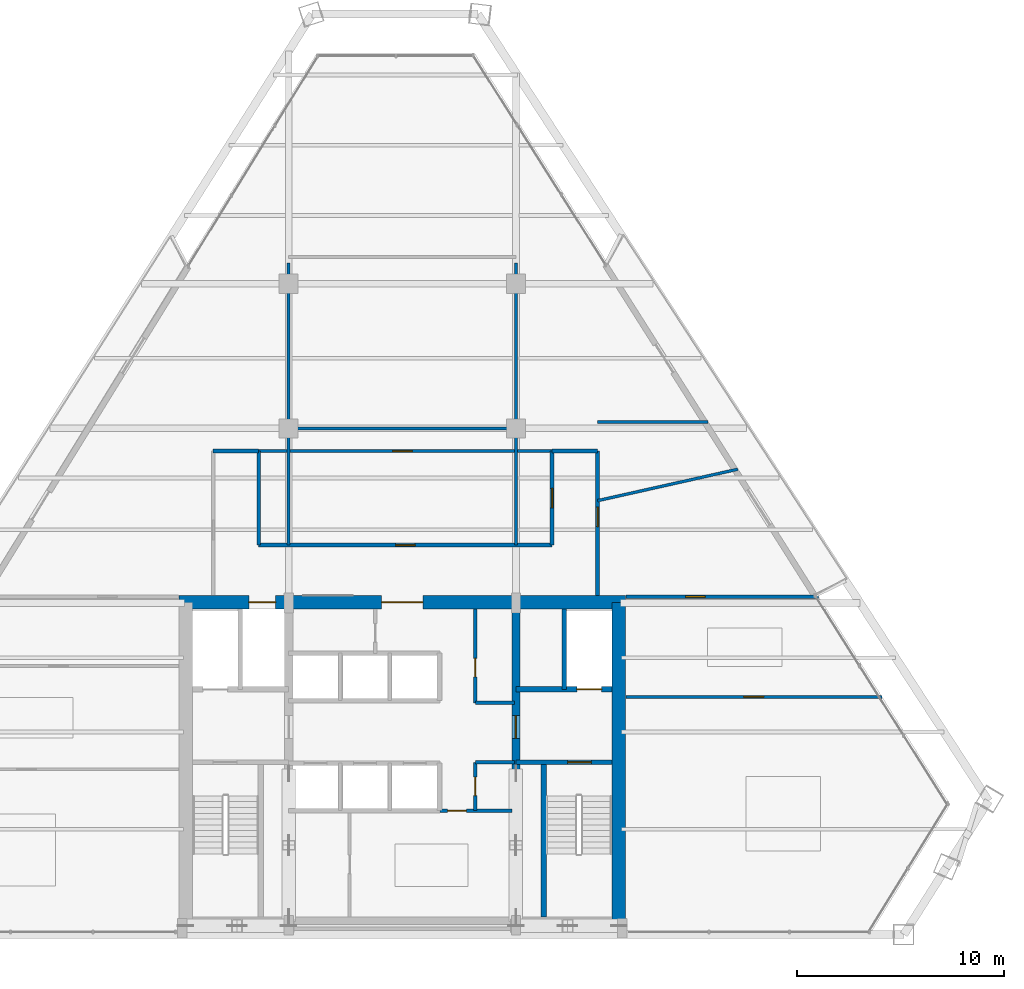
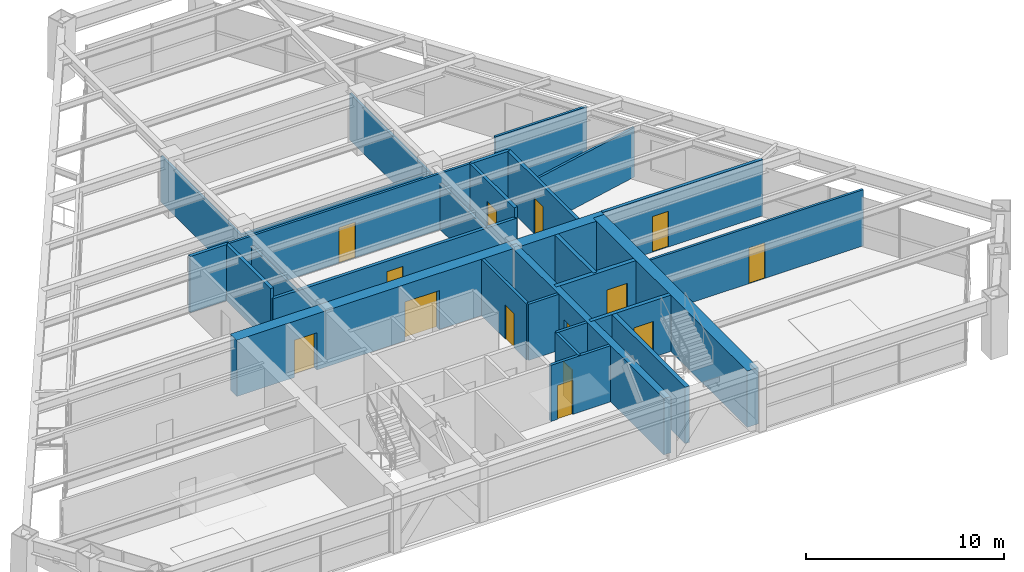
# One storey, part 12 of 15: 26 walls, 14 doors, 14 openings.
"""IFC4 building model written with IfcOpenShell, lengths in metres."""

import ifcopenshell
import ifcopenshell.guid

model = None  # the IFC model being written
_history = None  # IfcOwnerHistory: only IFC2X3 demands one
_inside = {}  # id of a spatial element -> (the spatial element, [elements in it])
_under = {}  # id of a project, library or spatial element -> (it, [spatial elements below it])
_declared = {}  # id of a project -> (the project, [libraries it declares])
_typed = {}  # id of a type object -> (the type object, [elements of that type])
_made_of = {}  # id of a material, layer set ... -> (it, [elements and type objects made of it])


def new_model(schema):
    """Start an empty IFC model of exactly this schema.

    Asked for "IFC4X3", IfcOpenShell would pick the latest addendum, in which some entities
    have other attributes; the version numbers below select the first issue.
    IFC2X3 requires an IfcOwnerHistory on every rooted entity: one is made here for all.
    """
    global model, _history
    if schema == "IFC4X3":
        model = ifcopenshell.file(schema_version=(4, 3, 0, 0))
    else:
        model = ifcopenshell.file(schema=schema)
    _inside.clear()
    _under.clear()
    _declared.clear()
    _typed.clear()
    _made_of.clear()
    _history = None
    if model.schema == "IFC2X3":
        org = make("IfcOrganization", Name="unknown")
        user = make(
            "IfcPersonAndOrganization",
            ThePerson=make("IfcPerson", FamilyName="unknown"),
            TheOrganization=org,
        )
        app = make(
            "IfcApplication",
            ApplicationDeveloper=org,
            Version="unknown",
            ApplicationFullName="unknown",
            ApplicationIdentifier="unknown",
        )
        _history = make(
            "IfcOwnerHistory",
            OwningUser=user,
            OwningApplication=app,
            ChangeAction="ADDED",
            CreationDate=0,
        )
    return model


def make(cls, **values):
    """One entity of the class cls with the attributes given. An attribute that is None is left unset."""
    return model.create_entity(
        cls, **{name: value for name, value in values.items() if value is not None}
    )


def rooted(cls, **values):
    """An entity with a GlobalId (a new one), such as an element, a storey or a relation."""
    return make(cls, GlobalId=ifcopenshell.guid.new(), OwnerHistory=_history, **values)


def si_unit(unit_type, name, prefix=None):
    """IfcSIUnit, for example si_unit("LENGTHUNIT", "METRE", prefix="MILLI")."""
    return make("IfcSIUnit", UnitType=unit_type, Prefix=prefix, Name=name)


def assignment(units):
    """IfcUnitAssignment: the units of a project."""
    return None if units is None else make("IfcUnitAssignment", Units=units)


def point(xyz):
    """IfcCartesianPoint."""
    return None if xyz is None else make("IfcCartesianPoint", Coordinates=xyz)


def direction(xyz):
    """IfcDirection."""
    return None if xyz is None else make("IfcDirection", DirectionRatios=xyz)


def frame(location, z_axis=None, x_axis=None):
    """IfcAxis2Placement3D, a coordinate frame: its origin and axes. An axis left out is left unset."""
    return make(
        "IfcAxis2Placement3D",
        Location=point(location),
        Axis=direction(z_axis),
        RefDirection=direction(x_axis),
    )


def frame_2d(location, x_axis=None):
    """IfcAxis2Placement2D, a coordinate frame in the plane: its origin and x axis."""
    return make(
        "IfcAxis2Placement2D", Location=point(location), RefDirection=direction(x_axis)
    )


def origin():
    """The frame at (0, 0, 0) with its axes left unset."""
    return frame((0.0, 0.0, 0.0))


def place(relative_to, where):
    """IfcLocalPlacement: puts the frame where relative to a parent placement (None: the world)."""
    return make(
        "IfcLocalPlacement", PlacementRelTo=relative_to, RelativePlacement=where
    )


def context(
    kind, dimensions, precision=None, world=None, true_north=None, identifier=None
):
    """IfcGeometricRepresentationContext, for example the 3D "Model" context."""
    return make(
        "IfcGeometricRepresentationContext",
        ContextIdentifier=identifier,
        ContextType=kind,
        CoordinateSpaceDimension=dimensions,
        Precision=precision,
        WorldCoordinateSystem=world,
        TrueNorth=true_north,
    )


def subcontext(parent, identifier, kind, view, scale=None):
    """IfcGeometricRepresentationSubContext, for example "Body" below "Model"."""
    return make(
        "IfcGeometricRepresentationSubContext",
        ContextIdentifier=identifier,
        ContextType=kind,
        ParentContext=parent,
        TargetScale=scale,
        TargetView=view,
    )


def project(units=None, contexts=None):
    """IfcProject with its units and contexts."""
    return rooted(
        "IfcProject",
        Name="project",
        RepresentationContexts=contexts,
        UnitsInContext=assignment(units),
    )


def spatial(cls, under=None, at=None, **own):
    """A site, building, storey or space (cls), placed at a placement, below another one or the project."""
    s = rooted(cls, ObjectPlacement=at, **own)
    if under is not None:
        _under.setdefault(under.id(), (under, []))[1].append(s)
    return s


def profile(cls, at=None, kind="AREA", **sizes):
    """A parametric profile (cls). Its sizes go by their IFC names, for example OverallWidth=200.0."""
    return make(cls, ProfileType=kind, Position=at, **sizes)


def rectangle(**sizes):
    """IfcRectangleProfileDef."""
    return profile("IfcRectangleProfileDef", **sizes)


def extrude(swept, where, along, depth):
    """IfcExtrudedAreaSolid: the profile swept, set in the frame where, extruded along a direction by depth."""
    return make(
        "IfcExtrudedAreaSolid",
        SweptArea=swept,
        Position=where,
        ExtrudedDirection=direction(along),
        Depth=depth,
    )


def shape(context_of_items, identifier, shape_type, items):
    """IfcShapeRepresentation: the items that make up one representation, for example the "Body"."""
    return make(
        "IfcShapeRepresentation",
        ContextOfItems=context_of_items,
        RepresentationIdentifier=identifier,
        RepresentationType=shape_type,
        Items=items,
    )


def source(mapping_origin, context_of_items, identifier, shape_type, items):
    """IfcRepresentationMap: a shape defined once, which mapped items show again and again."""
    return make(
        "IfcRepresentationMap",
        MappingOrigin=mapping_origin,
        MappedRepresentation=shape(context_of_items, identifier, shape_type, items),
    )


def transform(
    local_origin,
    x_axis=None,
    y_axis=None,
    z_axis=None,
    scale=None,
    scale2=None,
    scale3=None,
    uniform=True,
):
    """IfcCartesianTransformationOperator3D, or its non-uniform kind. x_axis, y_axis, z_axis: its Axis1, 2, 3."""
    if uniform:
        return make(
            "IfcCartesianTransformationOperator3D",
            Axis1=direction(x_axis),
            Axis2=direction(y_axis),
            LocalOrigin=point(local_origin),
            Scale=scale,
            Axis3=direction(z_axis),
        )
    return make(
        "IfcCartesianTransformationOperator3DnonUniform",
        Axis1=direction(x_axis),
        Axis2=direction(y_axis),
        LocalOrigin=point(local_origin),
        Scale=scale,
        Axis3=direction(z_axis),
        Scale2=scale2,
        Scale3=scale3,
    )


def mapped(mapping_source, mapping_target):
    """IfcMappedItem: shows the shape of a source again, moved by a transform."""
    return make(
        "IfcMappedItem", MappingSource=mapping_source, MappingTarget=mapping_target
    )


def material(Name=None, Category=None):
    """IfcMaterial."""
    return make("IfcMaterial", Name=Name, Category=Category)


def layer(
    of_material, thickness, ventilated=None, Name=None, Category=None, Priority=None
):
    """IfcMaterialLayer: one layer of a wall or slab, of a material (None: an air gap)."""
    return make(
        "IfcMaterialLayer",
        Material=of_material,
        LayerThickness=thickness,
        IsVentilated=ventilated,
        Name=Name,
        Category=Category,
        Priority=Priority,
    )


def layer_set(layers, Name=None):
    """IfcMaterialLayerSet."""
    return make("IfcMaterialLayerSet", MaterialLayers=layers, LayerSetName=Name)


def made_of(thing, what):
    """Note that an element or type object is made of a material, layer set ...; save() writes the relation."""
    if what is not None:
        _made_of.setdefault(what.id(), (what, []))[1].append(thing)
    return thing


def type_object(cls, material=None, **own):
    """A type object (cls), such as IfcWallType, which elements share."""
    return made_of(rooted(cls, **own), material)


def type_shapes(of_type, sources):
    """Give a type object the sources (RepresentationMaps) that its elements show as mapped items."""
    of_type.RepresentationMaps = sources


def element(
    cls,
    number,
    at=None,
    inside=None,
    cuts=None,
    type_object=None,
    material=None,
    context=None,
    identifier="Body",
    shape_type=None,
    held_by="IfcProductDefinitionShape",
    body=None,
    shapes=None,
    **own,
):
    """One element of the class cls, such as IfcWall. Its Tag is "e" and its number.

    at: its placement. inside: the storey or other place that contains it. cuts: it is an
    opening in that element (IfcRelVoidsElement). A single representation is given by context,
    identifier, shape_type and body (its items); several are given by shapes. held_by: the class
    of the entity that holds the representations. save() writes the other relations.
    """
    e = rooted(cls, Tag="e%d" % number, ObjectPlacement=at, **own)
    if body is not None:
        shapes = [shape(context, identifier, shape_type, body)]
    if shapes is not None:
        e.Representation = make(held_by, Representations=shapes)
    if inside is not None:
        _inside.setdefault(inside.id(), (inside, []))[1].append(e)
    if cuts is not None:
        rooted(
            "IfcRelVoidsElement", RelatingBuildingElement=cuts, RelatedOpeningElement=e
        )
    if type_object is not None:
        _typed.setdefault(type_object.id(), (type_object, []))[1].append(e)
    return made_of(e, material)


def fill(opening, filler):
    """IfcRelFillsElement: the door or window that sits in an opening."""
    return rooted(
        "IfcRelFillsElement",
        RelatingOpeningElement=opening,
        RelatedBuildingElement=filler,
    )


def aggregate(whole, parts):
    """IfcRelAggregates: a whole, such as a stair, and the parts it consists of."""
    return rooted("IfcRelAggregates", RelatingObject=whole, RelatedObjects=parts)


def save(model, path):
    """Write the relations noted so far, then the file.

    IfcRelAggregates (storeys below a building ...), IfcRelContainedInSpatialStructure (elements
    in a storey), IfcRelDefinesByType, IfcRelAssociatesMaterial and IfcRelDeclares: one each for
    every whole, place, type object, material and project.
    """
    for whole, parts in _under.values():
        aggregate(whole, parts)
    for where, things in _inside.values():
        rooted(
            "IfcRelContainedInSpatialStructure",
            RelatedElements=things,
            RelatingStructure=where,
        )
    for kind, things in _typed.values():
        rooted("IfcRelDefinesByType", RelatedObjects=things, RelatingType=kind)
    for what, things in _made_of.values():
        rooted("IfcRelAssociatesMaterial", RelatedObjects=things, RelatingMaterial=what)
    for by, libraries in _declared.values():
        rooted("IfcRelDeclares", RelatingContext=by, RelatedDefinitions=libraries)
    model.write(path)


model = new_model("IFC4")

# Units and contexts
model_context = context("Model", 3, precision=1e-05, world=origin(), true_north=direction((0.0, 1.0)))
body_context = subcontext(model_context, "Body", "Model", "MODEL_VIEW")
ifc_project = project(units=[si_unit("LENGTHUNIT", "METRE"), si_unit("AREAUNIT", "SQUARE_METRE"), si_unit("VOLUMEUNIT", "CUBIC_METRE"), si_unit("PLANEANGLEUNIT", "RADIAN"), si_unit("MASSUNIT", "GRAM", prefix="KILO")], contexts=[model_context])

# Site, building, storey
site_placement = place(None, origin())
site = spatial("IfcSite", under=ifc_project, at=site_placement, CompositionType="ELEMENT")
building_placement = place(site_placement, origin())
building = spatial("IfcBuilding", under=site, at=building_placement, Name="Varnakhor Terracotta Tower", CompositionType="ELEMENT")
storey_placement = place(building_placement, frame((0.0, 0.0, 189.5)))
storey = spatial("IfcBuildingStorey", under=building, at=storey_placement, Name="L48", CompositionType="ELEMENT", Elevation=189.5)

# Wall, openings, doors
ifc_material_1 = material(Name="Concrete C50/60", Category="concrete")
ifc_layer_1 = layer(ifc_material_1, 0.64990234375, Name="Concrete C50/60")
ifc_layer_set_1 = layer_set([ifc_layer_1], Name="Concrete C50/60")
wall_type_1 = type_object("IfcWallType", Name="WAL-CORE-650", PredefinedType="SHEAR", material=ifc_layer_set_1)
wall_1_placement = place(storey_placement, frame((-10.800048828125, 16.074951171875, 0.0), z_axis=(0.0, 0.0, 1.0), x_axis=(1.0, 0.0, 0.0)))
wall_1 = element("IfcWall", 1, at=wall_1_placement, inside=storey, type_object=wall_type_1, Name="L48 North Core Shear Wall", PredefinedType="SHEAR", context=body_context, shape_type="SweptSolid", body=[
    extrude(rectangle(XDim=21.60009765625, YDim=0.64990234375, at=frame_2d((10.800048828125, 0.0))), origin(), (0.0, 0.0, 1.0), 3.469970703125),
])
opening_1_placement = place(wall_1_placement, frame((3.3701171875, 0.0, 0.0)))
opening_1 = element("IfcOpeningElement", 2, at=opening_1_placement, cuts=wall_1, Name="Opening LD-03", PredefinedType="OPENING", context=body_context, shape_type="SweptSolid", body=[
    extrude(rectangle(XDim=1.300048828125, YDim=2.300048828125, at=frame_2d((0.64990234375, 1.14990234375))), frame((0.0, 0.3349609375, 0.0), z_axis=(0.0, -1.0, 0.0), x_axis=(1.0, 0.0, 0.0)), (0.0, 0.0, 1.0), 0.669921875),
])
opening_2_placement = place(wall_1_placement, frame((9.800048828125, 0.0, 0.0)))
opening_2 = element("IfcOpeningElement", 3, at=opening_2_placement, cuts=wall_1, Name="Opening DR-32", PredefinedType="OPENING", context=body_context, shape_type="SweptSolid", body=[
    extrude(rectangle(XDim=2.0, YDim=2.39990234375, at=frame_2d((1.0, 1.199951171875))), frame((0.0, 0.3349609375, 0.0), z_axis=(0.0, -1.0, 0.0), x_axis=(1.0, 0.0, 0.0)), (0.0, 0.0, 1.0), 0.669921875),
])
ifc_material_2 = material(Name="Heavy-Duty Goods Sliding Lift Landing Door", Category="steel")
door_type_1 = type_object("IfcDoorType", Name="LD-SRV-1300X2300", OperationType="NOTDEFINED", PredefinedType="DOOR", material=ifc_material_2)
shared_shape_1 = source(origin(), body_context, "Body", "SweptSolid", [
    extrude(rectangle(XDim=1.300048828125, YDim=2.300048828125, at=frame_2d((0.64990234375, 1.14990234375))), frame((0.0, 0.02490234375, 0.0), z_axis=(0.0, -1.0, 0.0), x_axis=(1.0, 0.0, 0.0)), (0.0, 0.0, 1.0), 0.050048828125),
])
type_shapes(door_type_1, [shared_shape_1])
door_1_placement = place(opening_1_placement, origin())
door_1 = element("IfcDoor", 4, at=door_1_placement, inside=storey, type_object=door_type_1, Name="L48 Service Lift SVL-1 Landing Door", OperationType="SLIDING_TO_RIGHT", OverallHeight=2.300048828125, OverallWidth=1.300048828125, PredefinedType="DOOR", context=body_context, shape_type="MappedRepresentation", body=[
    mapped(shared_shape_1, transform((0.0, 0.0, 0.0), scale=1.0)),
])
fill(opening_1, door_1)
ifc_material_3 = material(Name="Acoustic Double Assembly Fire Door", Category="wood")
door_type_2 = type_object("IfcDoorType", Name="DR-HALL-2000X2400", OperationType="NOTDEFINED", PredefinedType="DOOR", material=ifc_material_3)
shared_shape_2 = source(origin(), body_context, "Body", "SweptSolid", [
    extrude(rectangle(XDim=2.0, YDim=2.39990234375, at=frame_2d((1.0, 1.199951171875))), frame((0.0, 0.02490234375, 0.0), z_axis=(0.0, -1.0, 0.0), x_axis=(1.0, 0.0, 0.0)), (0.0, 0.0, 1.0), 0.050048828125),
])
type_shapes(door_type_2, [shared_shape_2])
door_2_placement = place(opening_2_placement, origin())
door_2 = element("IfcDoor", 5, at=door_2_placement, inside=storey, type_object=door_type_2, Name="L48 Core Main Lobby Double Door", OperationType="DOUBLE_DOOR_SINGLE_SWING", OverallHeight=2.39990234375, OverallWidth=2.0, PredefinedType="DOOR", context=body_context, shape_type="MappedRepresentation", body=[
    mapped(shared_shape_2, transform((0.0, 0.0, 0.0), scale=1.0)),
])
fill(opening_2, door_2)

# Wall
wall_2_placement = place(storey_placement, frame((10.47509765625, 0.52490234375, 0.0), z_axis=(0.0, 0.0, 1.0), x_axis=(0.0, 1.0, 0.0)))
element("IfcWall", 6, at=wall_2_placement, inside=storey, type_object=wall_type_1, Name="L48 East Core Shear Wall", PredefinedType="SHEAR", context=body_context, shape_type="SweptSolid", body=[
    extrude(rectangle(XDim=15.550048828125, YDim=0.64990234375, at=frame_2d((7.77490234375, 0.0))), origin(), (0.0, 0.0, 1.0), 3.469970703125),
])

# Wall, opening, door
ifc_layer_2 = layer(ifc_material_1, 0.39990234375, Name="Concrete C50/60")
ifc_layer_set_2 = layer_set([ifc_layer_2], Name="Concrete C50/60")
wall_type_2 = type_object("IfcWallType", Name="WAL-CORE-WEB-400", PredefinedType="SHEAR", material=ifc_layer_set_2)
wall_3_placement = place(storey_placement, frame((5.5, 0.52490234375, 0.0), z_axis=(0.0, 0.0, 1.0), x_axis=(0.0, 1.0, 0.0)))
wall_3 = element("IfcWall", 7, at=wall_3_placement, inside=storey, type_object=wall_type_2, Name="L48 East Core Web Shear Wall", PredefinedType="SHEAR", context=body_context, shape_type="SweptSolid", body=[
    extrude(rectangle(XDim=15.550048828125, YDim=0.39990234375, at=frame_2d((7.77490234375, 0.0))), origin(), (0.0, 0.0, 1.0), 3.469970703125),
])
opening_3_placement = place(wall_3_placement, frame((8.97509765625, 0.0, 0.0)))
opening_3 = element("IfcOpeningElement", 8, at=opening_3_placement, cuts=wall_3, Name="Opening DR-25", PredefinedType="OPENING", context=body_context, shape_type="SweptSolid", body=[
    extrude(rectangle(XDim=1.10009765625, YDim=2.199951171875, at=frame_2d((0.550048828125, 1.10009765625))), frame((0.0, 0.2099609375, 0.0), z_axis=(0.0, -1.0, 0.0), x_axis=(1.0, 0.0, 0.0)), (0.0, 0.0, 1.0), 0.419921875),
])
ifc_material_4 = material(Name="Firefighting Lobby Self-Closing Fire Door", Category="steel")
door_type_3 = type_object("IfcDoorType", Name="DR-FFL-1100X2200", OperationType="NOTDEFINED", PredefinedType="DOOR", material=ifc_material_4)
shared_shape_3 = source(origin(), body_context, "Body", "SweptSolid", [
    extrude(rectangle(XDim=1.10009765625, YDim=2.199951171875, at=frame_2d((0.550048828125, 1.10009765625))), frame((0.0, 0.02490234375, 0.0), z_axis=(0.0, -1.0, 0.0), x_axis=(1.0, 0.0, 0.0)), (0.0, 0.0, 1.0), 0.050048828125),
])
type_shapes(door_type_3, [shared_shape_3])
door_3_placement = place(opening_3_placement, origin())
door_3 = element("IfcDoor", 9, at=door_3_placement, inside=storey, type_object=door_type_3, Name="L48 East Firefighting Lobby Door", OperationType="SINGLE_SWING_RIGHT", OverallHeight=2.199951171875, OverallWidth=1.10009765625, PredefinedType="DOOR", context=body_context, shape_type="MappedRepresentation", body=[
    mapped(shared_shape_3, transform((0.0, 0.0, 0.0), scale=1.0)),
])
fill(opening_3, door_3)

ifc_material_5 = material(Name="Fire-Rated Gypsum Stud Partition", Category="gypsum")
ifc_layer_3 = layer(ifc_material_5, 0.18505859375, Name="Fire-Rated Gypsum Stud Partition")
ifc_layer_set_3 = layer_set([ifc_layer_3], Name="Fire-Rated Gypsum Stud Partition")
wall_type_3 = type_object("IfcWallType", Name="WAL-CORR-185", PredefinedType="PARTITIONING", material=ifc_layer_set_3)
wall_4_placement = place(storey_placement, frame((-6.949951171875, 18.85009765625, 0.0), z_axis=(0.0, 0.0, 1.0), x_axis=(1.0, 0.0, 0.0)))
wall_4 = element("IfcWall", 10, at=wall_4_placement, inside=storey, type_object=wall_type_3, Name="L48 Central Gallery Link Wall", PredefinedType="PARTITIONING", context=body_context, shape_type="SweptSolid", body=[
    extrude(rectangle(XDim=14.199951171875, YDim=0.18505859375, at=frame_2d((7.10009765625, 0.0))), origin(), (0.0, 0.0, 1.0), 2.845947265625),
])
opening_4_placement = place(wall_4_placement, frame((6.625, 0.0, 0.0)))
opening_4 = element("IfcOpeningElement", 11, at=opening_4_placement, cuts=wall_4, Name="Opening DR-94", PredefinedType="OPENING", context=body_context, shape_type="SweptSolid", body=[
    extrude(rectangle(XDim=0.949951171875, YDim=2.199951171875, at=frame_2d((0.47509765625, 1.10009765625))), frame((0.0, 0.1025390625, 0.0), z_axis=(0.0, -1.0, 0.0), x_axis=(1.0, 0.0, 0.0)), (0.0, 0.0, 1.0), 0.205078125),
])
ifc_material_6 = material(Name="Acoustic Glazed-Vision Timber Office Door", Category="wood")
door_type_4 = type_object("IfcDoorType", Name="DR-OFF-950X2200", OperationType="NOTDEFINED", PredefinedType="DOOR", material=ifc_material_6)
shared_shape_4 = source(origin(), body_context, "Body", "SweptSolid", [
    extrude(rectangle(XDim=0.949951171875, YDim=2.199951171875, at=frame_2d((0.47509765625, 1.10009765625))), frame((0.0, 0.02490234375, 0.0), z_axis=(0.0, -1.0, 0.0), x_axis=(1.0, 0.0, 0.0)), (0.0, 0.0, 1.0), 0.050048828125),
])
type_shapes(door_type_4, [shared_shape_4])
door_4_placement = place(opening_4_placement, origin())
door_4 = element("IfcDoor", 12, at=door_4_placement, inside=storey, type_object=door_type_4, Name="L48 Center Suite Door", OperationType="SINGLE_SWING_RIGHT", OverallHeight=2.199951171875, OverallWidth=0.949951171875, PredefinedType="DOOR", context=body_context, shape_type="MappedRepresentation", body=[
    mapped(shared_shape_4, transform((0.0, 0.0, 0.0), scale=1.0)),
])
fill(opening_4, door_4)

# Wall
wall_5_placement = place(storey_placement, frame((-6.949951171875, 18.85009765625, 0.0), z_axis=(0.0, 0.0, 1.0), x_axis=(0.0, 1.0, 0.0)))
element("IfcWall", 13, at=wall_5_placement, inside=storey, type_object=wall_type_3, Name="L48 West Gallery Inner Wall", PredefinedType="PARTITIONING", context=body_context, shape_type="SweptSolid", body=[
    extrude(rectangle(XDim=4.5498046875, YDim=0.18505859375, at=frame_2d((2.27490234375, 0.0))), origin(), (0.0, 0.0, 1.0), 3.4619140625),
])

# Wall, opening, door
wall_6_placement = place(storey_placement, frame((7.25, 18.85009765625, 0.0), z_axis=(0.0, 0.0, 1.0), x_axis=(0.0, 1.0, 0.0)))
wall_6 = element("IfcWall", 14, at=wall_6_placement, inside=storey, type_object=wall_type_3, Name="L48 East Gallery Inner Wall", PredefinedType="PARTITIONING", context=body_context, shape_type="SweptSolid", body=[
    extrude(rectangle(XDim=4.5498046875, YDim=0.18505859375, at=frame_2d((2.27490234375, 0.0))), origin(), (0.0, 0.0, 1.0), 3.4619140625),
])
opening_5_placement = place(wall_6_placement, frame((1.800048828125, 0.0, 0.0)))
opening_5 = element("IfcOpeningElement", 15, at=opening_5_placement, cuts=wall_6, Name="Opening DR-94", PredefinedType="OPENING", context=body_context, shape_type="SweptSolid", body=[
    extrude(rectangle(XDim=0.949951171875, YDim=2.199951171875, at=frame_2d((0.47509765625, 1.10009765625))), frame((0.0, 0.1025390625, 0.0), z_axis=(0.0, -1.0, 0.0), x_axis=(1.0, 0.0, 0.0)), (0.0, 0.0, 1.0), 0.205078125),
])
door_5_placement = place(opening_5_placement, origin())
door_5 = element("IfcDoor", 16, at=door_5_placement, inside=storey, type_object=door_type_4, Name="L48 Corporate Office 1 B9 Door", OperationType="SINGLE_SWING_LEFT", OverallHeight=2.199951171875, OverallWidth=0.949951171875, PredefinedType="DOOR", context=body_context, shape_type="MappedRepresentation", body=[
    mapped(shared_shape_4, transform((0.0, 0.0, 0.0), scale=1.0)),
])
fill(opening_5, door_5)

wall_7_placement = place(storey_placement, frame((9.449951171875, 16.39990234375, 0.0), z_axis=(0.0, 0.0, 1.0), x_axis=(0.0, 1.0, 0.0)))
wall_7 = element("IfcWall", 17, at=wall_7_placement, inside=storey, type_object=wall_type_3, Name="L48 East Gallery Outer Wall", PredefinedType="PARTITIONING", context=body_context, shape_type="SweptSolid", body=[
    extrude(rectangle(XDim=7.0, YDim=0.18505859375, at=frame_2d((3.5, 0.0))), origin(), (0.0, 0.0, 1.0), 3.4619140625),
])
opening_6_placement = place(wall_7_placement, frame((3.341064453125, 0.0, 0.0)))
opening_6 = element("IfcOpeningElement", 18, at=opening_6_placement, cuts=wall_7, Name="Opening DR-94", PredefinedType="OPENING", context=body_context, shape_type="SweptSolid", body=[
    extrude(rectangle(XDim=0.949951171875, YDim=2.199951171875, at=frame_2d((0.47509765625, 1.10009765625))), frame((0.0, 0.1025390625, 0.0), z_axis=(0.0, -1.0, 0.0), x_axis=(1.0, 0.0, 0.0)), (0.0, 0.0, 1.0), 0.205078125),
])
door_6_placement = place(opening_6_placement, origin())
door_6 = element("IfcDoor", 19, at=door_6_placement, inside=storey, type_object=door_type_4, Name="L48 East Wing Door", OperationType="SINGLE_SWING_RIGHT", OverallHeight=2.199951171875, OverallWidth=0.949951171875, PredefinedType="DOOR", context=body_context, shape_type="MappedRepresentation", body=[
    mapped(shared_shape_4, transform((0.0, 0.0, 0.0), scale=1.0)),
])
fill(opening_6, door_6)

# Walls
for number, where, z_axis, x_axis, name in (
    (20, (-9.14990234375, 23.39990234375, 0.0), (0.0, 0.0, 1.0), (1.0, 0.0, 0.0), "L48 West Gallery North End"),
    (21, (7.25, 23.39990234375, 0.0), (0.0, 0.0, 1.0), (1.0, 0.0, 0.0), "L48 East Gallery North End"),
):
    element("IfcWall", number, at=place(storey_placement, frame(where, z_axis=z_axis, x_axis=x_axis)), inside=storey, type_object=wall_type_3, Name=name, PredefinedType="PARTITIONING", context=body_context, shape_type="SweptSolid", body=[
        extrude(rectangle(XDim=2.199951171875, YDim=0.18505859375, at=frame_2d((1.10009765625, 0.0))), origin(), (0.0, 0.0, 1.0), 3.4619140625),
    ])

# Wall, opening, door
wall_8_placement = place(storey_placement, frame((10.820068359375, 16.35009765625, 0.0), z_axis=(0.0, 0.0, 1.0), x_axis=(1.0, 0.0, 0.0)))
wall_8 = element("IfcWall", 22, at=wall_8_placement, inside=storey, type_object=wall_type_3, Name="L48 South East Entry Wall", PredefinedType="PARTITIONING", context=body_context, shape_type="SweptSolid", body=[
    extrude(rectangle(XDim=9.32763671875, YDim=0.18505859375, at=frame_2d((4.663818359375, 0.0))), origin(), (0.0, 0.0, 1.0), 3.4619140625),
])
opening_7_placement = place(wall_8_placement, frame((2.8916015625, 0.0, 0.0)))
opening_7 = element("IfcOpeningElement", 23, at=opening_7_placement, cuts=wall_8, Name="Opening DR-94", PredefinedType="OPENING", context=body_context, shape_type="SweptSolid", body=[
    extrude(rectangle(XDim=0.949951171875, YDim=2.199951171875, at=frame_2d((0.47509765625, 1.10009765625))), frame((0.0, 0.1025390625, 0.0), z_axis=(0.0, -1.0, 0.0), x_axis=(1.0, 0.0, 0.0)), (0.0, 0.0, 1.0), 0.205078125),
])
door_7_placement = place(opening_7_placement, origin())
door_7 = element("IfcDoor", 24, at=door_7_placement, inside=storey, type_object=door_type_4, Name="L48 SE Suite Door", OperationType="SINGLE_SWING_RIGHT", OverallHeight=2.199951171875, OverallWidth=0.949951171875, PredefinedType="DOOR", context=body_context, shape_type="MappedRepresentation", body=[
    mapped(shared_shape_4, transform((0.0, 0.0, 0.0), scale=1.0)),
])
fill(opening_7, door_7)

ifc_material_7 = material(Name="Concrete C40/50", Category="concrete")
ifc_layer_4 = layer(ifc_material_7, 0.219970703125, Name="Concrete C40/50")
ifc_layer_set_4 = layer_set([ifc_layer_4], Name="Concrete C40/50")
wall_type_4 = type_object("IfcWallType", Name="WAL-FFLOBBY-220", PredefinedType="SOLIDWALL", material=ifc_layer_set_4)
wall_9_placement = place(storey_placement, frame((10.14990234375, 8.35009765625, 0.0), z_axis=(0.0, 0.0, 1.0), x_axis=(-1.0, 0.0, 0.0)))
wall_9 = element("IfcWall", 25, at=wall_9_placement, inside=storey, type_object=wall_type_4, Name="L48 East Firefighting Lobby Stair Wall", PredefinedType="SOLIDWALL", context=body_context, shape_type="SweptSolid", body=[
    extrude(rectangle(XDim=4.64990234375, YDim=0.219970703125, at=frame_2d((2.324951171875, 0.0))), origin(), (0.0, 0.0, 1.0), 3.469970703125),
])
opening_8_placement = place(wall_9_placement, frame((1.0, 0.0, 0.0)))
opening_8 = element("IfcOpeningElement", 26, at=opening_8_placement, cuts=wall_9, Name="Opening DR-34", PredefinedType="OPENING", context=body_context, shape_type="SweptSolid", body=[
    extrude(rectangle(XDim=1.14990234375, YDim=2.199951171875, at=frame_2d((0.574951171875, 1.10009765625))), frame((0.0, 0.1201171875, 0.0), z_axis=(0.0, -1.0, 0.0), x_axis=(1.0, 0.0, 0.0)), (0.0, 0.0, 1.0), 0.239990234375),
])
ifc_material_8 = material(Name="Self-Closing Smoke-Sealed Steel Fire Door", Category="steel")
door_type_5 = type_object("IfcDoorType", Name="DR-STAIR-1150X2200", OperationType="NOTDEFINED", PredefinedType="DOOR", material=ifc_material_8)
shared_shape_5 = source(origin(), body_context, "Body", "SweptSolid", [
    extrude(rectangle(XDim=1.14990234375, YDim=2.199951171875, at=frame_2d((0.574951171875, 1.10009765625))), frame((0.0, 0.02490234375, 0.0), z_axis=(0.0, -1.0, 0.0), x_axis=(1.0, 0.0, 0.0)), (0.0, 0.0, 1.0), 0.050048828125),
])
type_shapes(door_type_5, [shared_shape_5])
door_8_placement = place(opening_8_placement, origin())
door_8 = element("IfcDoor", 27, at=door_8_placement, inside=storey, type_object=door_type_5, Name="L48 Exit Stair ST-2 Fire Door", OperationType="SINGLE_SWING_LEFT", OverallHeight=2.199951171875, OverallWidth=1.14990234375, PredefinedType="DOOR", context=body_context, shape_type="MappedRepresentation", body=[
    mapped(shared_shape_5, transform((0.0, 0.0, 0.0), scale=1.0)),
])
fill(opening_8, door_8)

ifc_material_9 = material(Name="Acoustic Metal-Stud Partition", Category="gypsum")
ifc_layer_5 = layer(ifc_material_9, 0.139892578125, Name="Acoustic Metal-Stud Partition")
ifc_layer_set_5 = layer_set([ifc_layer_5], Name="Acoustic Metal-Stud Partition")
wall_type_5 = type_object("IfcWallType", Name="WAL-PART-140", PredefinedType="PARTITIONING", material=ifc_layer_set_5)
wall_10_placement = place(storey_placement, frame((-6.949951171875, 23.39990234375, 0.0), z_axis=(0.0, 0.0, 1.0), x_axis=(1.0, 0.0, 0.0)))
wall_10 = element("IfcWall", 28, at=wall_10_placement, inside=storey, type_object=wall_type_5, Name="L48 Gallery Center Cap Wall", PredefinedType="PARTITIONING", context=body_context, shape_type="SweptSolid", body=[
    extrude(rectangle(XDim=14.199951171875, YDim=0.139892578125, at=frame_2d((7.10009765625, 0.0))), origin(), (0.0, 0.0, 1.0), 3.4619140625),
])
opening_9_placement = place(wall_10_placement, frame((6.482177734375, 0.0, 0.0)))
opening_9 = element("IfcOpeningElement", 29, at=opening_9_placement, cuts=wall_10, Name="Opening DR-94", PredefinedType="OPENING", context=body_context, shape_type="SweptSolid", body=[
    extrude(rectangle(XDim=0.949951171875, YDim=2.199951171875, at=frame_2d((0.47509765625, 1.10009765625))), frame((0.0, 0.080078125, 0.0), z_axis=(0.0, -1.0, 0.0), x_axis=(1.0, 0.0, 0.0)), (0.0, 0.0, 1.0), 0.159912109375),
])
door_9_placement = place(opening_9_placement, origin())
door_9 = element("IfcDoor", 30, at=door_9_placement, inside=storey, type_object=door_type_4, Name="L48 Dining Kitchen 1 Door", OperationType="SINGLE_SWING_RIGHT", OverallHeight=2.199951171875, OverallWidth=0.949951171875, PredefinedType="DOOR", context=body_context, shape_type="MappedRepresentation", body=[
    mapped(shared_shape_4, transform((0.0, 0.0, 0.0), scale=1.0)),
])
fill(opening_9, door_9)

# Walls
for number, where, z_axis, x_axis, name in (
    (31, (-5.5, 18.85009765625, 0.0), (0.0, 0.0, 1.0), (0.0, 1.0, 0.0), "L48 Center West Column Wall"),
    (32, (5.5, 18.85009765625, 0.0), (0.0, 0.0, 1.0), (0.0, 1.0, 0.0), "L48 Center East Column Wall"),
):
    element("IfcWall", number, at=place(storey_placement, frame(where, z_axis=z_axis, x_axis=x_axis)), inside=storey, type_object=wall_type_5, Name=name, PredefinedType="PARTITIONING", context=body_context, shape_type="SweptSolid", body=[
        extrude(rectangle(XDim=13.64990234375, YDim=0.139892578125, at=frame_2d((6.824951171875, 0.0))), origin(), (0.0, 0.0, 1.0), 2.845947265625),
    ])
wall_11_placement = place(storey_placement, frame((-5.5, 24.5, 0.0), z_axis=(0.0, 0.0, 1.0), x_axis=(1.0, 0.0, 0.0)))
element("IfcWall", 33, at=wall_11_placement, inside=storey, type_object=wall_type_5, Name="L48 Center Cross Cut 1", PredefinedType="PARTITIONING", context=body_context, shape_type="SweptSolid", body=[
    extrude(rectangle(XDim=11.0, YDim=0.139892578125, at=frame_2d((5.5, 0.0))), origin(), (0.0, 0.0, 1.0), 2.845947265625),
])

# Wall, opening, door
wall_12_placement = place(storey_placement, frame((10.820068359375, 11.5, 0.0), z_axis=(0.0, 0.0, 1.0), x_axis=(1.0, 0.0, 0.0)))
wall_12 = element("IfcWall", 34, at=wall_12_placement, inside=storey, type_object=wall_type_5, Name="L48 East Wing Cut 1", PredefinedType="PARTITIONING", context=body_context, shape_type="SweptSolid", body=[
    extrude(rectangle(XDim=12.39794921875, YDim=0.139892578125, at=frame_2d((6.198974609375, 0.0))), origin(), (0.0, 0.0, 1.0), 3.4619140625),
])
opening_10_placement = place(wall_12_placement, frame((5.716552734375, 0.0, 0.0)))
opening_10 = element("IfcOpeningElement", 35, at=opening_10_placement, cuts=wall_12, Name="Opening DR-94", PredefinedType="OPENING", context=body_context, shape_type="SweptSolid", body=[
    extrude(rectangle(XDim=0.949951171875, YDim=2.199951171875, at=frame_2d((0.47509765625, 1.10009765625))), frame((0.0, 0.080078125, 0.0), z_axis=(0.0, -1.0, 0.0), x_axis=(1.0, 0.0, 0.0)), (0.0, 0.0, 1.0), 0.159912109375),
])
door_10_placement = place(opening_10_placement, origin())
door_10 = element("IfcDoor", 36, at=door_10_placement, inside=storey, type_object=door_type_4, Name="L48 Executive Club Office 1 SE Door", OperationType="SINGLE_SWING_LEFT", OverallHeight=2.199951171875, OverallWidth=0.949951171875, PredefinedType="DOOR", context=body_context, shape_type="MappedRepresentation", body=[
    mapped(shared_shape_4, transform((0.0, 0.0, 0.0), scale=1.0)),
])
fill(opening_10, door_10)

# Walls
wall_13_placement = place(storey_placement, frame((9.449951171875, 21.0, 0.0), z_axis=(0.0, 0.0, 1.0), x_axis=(0.975775891763, 0.21877250525, 0.0)))
element("IfcWall", 37, at=wall_13_placement, inside=storey, type_object=wall_type_5, Name="L48 East Wing Cut 2", PredefinedType="PARTITIONING", context=body_context, shape_type="SweptSolid", body=[
    extrude(rectangle(XDim=6.958984375, YDim=0.139892578125, at=frame_2d((3.4794921875, 0.0))), origin(), (0.0, 0.0, 1.0), 3.049072265625),
])
wall_14_placement = place(storey_placement, frame((9.449951171875, 24.800048828125, 0.0), z_axis=(0.0, 0.0, 1.0), x_axis=(1.0, 0.0, 0.0)))
element("IfcWall", 38, at=wall_14_placement, inside=storey, type_object=wall_type_5, Name="L48 East Wing Cut 3", PredefinedType="PARTITIONING", context=body_context, shape_type="SweptSolid", body=[
    extrude(rectangle(XDim=5.3486328125, YDim=0.139892578125, at=frame_2d((2.67431640625, 0.0))), origin(), (0.0, 0.0, 1.0), 3.4619140625),
])
ifc_layer_6 = layer(ifc_material_7, 0.219970703125, Name="Concrete C40/50")
ifc_layer_set_6 = layer_set([ifc_layer_6], Name="Concrete C40/50")
wall_type_6 = type_object("IfcWallType", Name="WAL-SHAFT-220", PredefinedType="SOLIDWALL", material=ifc_layer_set_6)
wall_15_placement = place(storey_placement, frame((7.840087890625, 11.8701171875, 0.0), z_axis=(0.0, 0.0, 1.0), x_axis=(0.0, 1.0, 0.0)))
element("IfcWall", 39, at=wall_15_placement, inside=storey, type_object=wall_type_6, Name="L48 Lift FFL-2 and Riser Divider Wall", PredefinedType="SOLIDWALL", context=body_context, shape_type="SweptSolid", body=[
    extrude(rectangle(XDim=3.8798828125, YDim=0.219970703125, at=frame_2d((1.93994140625, 0.0))), origin(), (0.0, 0.0, 1.0), 3.469970703125),
])
ifc_layer_7 = layer(ifc_material_7, 0.25, Name="Concrete C40/50")
ifc_layer_set_7 = layer_set([ifc_layer_7], Name="Concrete C40/50")
wall_type_7 = type_object("IfcWallType", Name="WAL-SHAFT-250", PredefinedType="SOLIDWALL", material=ifc_layer_set_7)
wall_16_placement = place(storey_placement, frame((6.85009765625, 0.85009765625, 0.0), z_axis=(0.0, 0.0, 1.0), x_axis=(0.0, 1.0, 0.0)))
element("IfcWall", 40, at=wall_16_placement, inside=storey, type_object=wall_type_7, Name="L48 Stair ST-2 Bearing Shaft Wall", PredefinedType="SOLIDWALL", context=body_context, shape_type="SweptSolid", body=[
    extrude(rectangle(XDim=7.5, YDim=0.25, at=frame_2d((3.75, 0.0))), origin(), (0.0, 0.0, 1.0), 3.469970703125),
])

# Wall, opening, door
wall_17_placement = place(storey_placement, frame((10.14990234375, 11.8701171875, 0.0), z_axis=(0.0, 0.0, 1.0), x_axis=(-1.0, 0.0, 0.0)))
wall_17 = element("IfcWall", 41, at=wall_17_placement, inside=storey, type_object=wall_type_7, Name="L48 Lift FFL-2 Shaft Front Wall", PredefinedType="SOLIDWALL", context=body_context, shape_type="SweptSolid", body=[
    extrude(rectangle(XDim=4.64990234375, YDim=0.25, at=frame_2d((2.324951171875, 0.0))), origin(), (0.0, 0.0, 1.0), 3.469970703125),
])
opening_11_placement = place(wall_17_placement, frame((0.5, 0.0, 0.0)))
opening_11 = element("IfcOpeningElement", 42, at=opening_11_placement, cuts=wall_17, Name="Opening LD-02", PredefinedType="OPENING", context=body_context, shape_type="SweptSolid", body=[
    extrude(rectangle(XDim=1.199951171875, YDim=2.25, at=frame_2d((0.60009765625, 1.125))), frame((0.0, 0.135009765625, 0.0), z_axis=(0.0, -1.0, 0.0), x_axis=(1.0, 0.0, 0.0)), (0.0, 0.0, 1.0), 0.27001953125),
])
ifc_material_10 = material(Name="Firefighting Stretcher Sliding Lift Landing Door", Category="steel")
door_type_6 = type_object("IfcDoorType", Name="LD-FFL-1200X2250", OperationType="NOTDEFINED", PredefinedType="DOOR", material=ifc_material_10)
shared_shape_6 = source(origin(), body_context, "Body", "SweptSolid", [
    extrude(rectangle(XDim=1.199951171875, YDim=2.25, at=frame_2d((0.60009765625, 1.125))), frame((0.0, 0.02490234375, 0.0), z_axis=(0.0, -1.0, 0.0), x_axis=(1.0, 0.0, 0.0)), (0.0, 0.0, 1.0), 0.050048828125),
])
type_shapes(door_type_6, [shared_shape_6])
door_11_placement = place(opening_11_placement, origin())
door_11 = element("IfcDoor", 43, at=door_11_placement, inside=storey, type_object=door_type_6, Name="L48 Firefighting Lift FFL-2 Landing Door", OperationType="SLIDING_TO_RIGHT", OverallHeight=2.25, OverallWidth=1.199951171875, PredefinedType="DOOR", context=body_context, shape_type="MappedRepresentation", body=[
    mapped(shared_shape_6, transform((0.0, 0.0, 0.0), scale=1.0)),
])
fill(opening_11, door_11)

ifc_material_11 = material(Name="Acoustic Fire-Rated Partition", Category="gypsum")
ifc_layer_8 = layer(ifc_material_11, 0.1650390625, Name="Acoustic Fire-Rated Partition")
ifc_layer_set_8 = layer_set([ifc_layer_8], Name="Acoustic Fire-Rated Partition")
wall_type_8 = type_object("IfcWallType", Name="WAL-TENANCY-165", PredefinedType="PARTITIONING", material=ifc_layer_set_8)
wall_18_placement = place(storey_placement, frame((1.820068359375, 6.0, 0.0), z_axis=(0.0, 0.0, 1.0), x_axis=(1.0, 0.0, 0.0)))
wall_18 = element("IfcWall", 44, at=wall_18_placement, inside=storey, type_object=wall_type_8, Name="L48 Reclaimed Core Bay North Rated Wall", PredefinedType="PARTITIONING", context=body_context, shape_type="SweptSolid", body=[
    extrude(rectangle(XDim=3.47998046875, YDim=0.1650390625, at=frame_2d((1.739990234375, 0.0))), origin(), (0.0, 0.0, 1.0), 3.4619140625),
])
opening_12_placement = place(wall_18_placement, frame((0.3798828125, 0.0, 0.0)))
opening_12 = element("IfcOpeningElement", 45, at=opening_12_placement, cuts=wall_18, Name="Opening DR-67", PredefinedType="OPENING", context=body_context, shape_type="SweptSolid", body=[
    extrude(rectangle(XDim=0.89990234375, YDim=2.10009765625, at=frame_2d((0.449951171875, 1.050048828125))), frame((0.0, 0.092529296875, 0.0), z_axis=(0.0, -1.0, 0.0), x_axis=(1.0, 0.0, 0.0)), (0.0, 0.0, 1.0), 0.18505859375),
])
ifc_material_12 = material(Name="Steel Service Riser Fire Door", Category="steel")
door_type_7 = type_object("IfcDoorType", Name="DR-RISER-900X2100", OperationType="NOTDEFINED", PredefinedType="DOOR", material=ifc_material_12)
shared_shape_7 = source(origin(), body_context, "Body", "SweptSolid", [
    extrude(rectangle(XDim=0.89990234375, YDim=2.10009765625, at=frame_2d((0.449951171875, 1.050048828125))), frame((0.0, 0.02490234375, 0.0), z_axis=(0.0, -1.0, 0.0), x_axis=(1.0, 0.0, 0.0)), (0.0, 0.0, 1.0), 0.050048828125),
])
type_shapes(door_type_7, [shared_shape_7])
door_12_placement = place(opening_12_placement, origin())
door_12 = element("IfcDoor", 46, at=door_12_placement, inside=storey, type_object=door_type_7, Name="L48 Core Reclaimed Suite Door", OperationType="SINGLE_SWING_LEFT", OverallHeight=2.10009765625, OverallWidth=0.89990234375, PredefinedType="DOOR", context=body_context, shape_type="MappedRepresentation", body=[
    mapped(shared_shape_7, transform((0.0, 0.0, 0.0), scale=1.0)),
])
fill(opening_12, door_12)

wall_19_placement = place(storey_placement, frame((3.5400390625, 6.0, 0.0), z_axis=(0.0, 0.0, 1.0), x_axis=(0.0, 1.0, 0.0)))
wall_19 = element("IfcWall", 47, at=wall_19_placement, inside=storey, type_object=wall_type_8, Name="L48 Accessible WC Rated Wall", PredefinedType="PARTITIONING", context=body_context, shape_type="SweptSolid", body=[
    extrude(rectangle(XDim=2.340087890625, YDim=0.1650390625, at=frame_2d((1.169921875, 0.0))), origin(), (0.0, 0.0, 1.0), 3.4619140625),
])
opening_13_placement = place(wall_19_placement, frame((0.719970703125, 0.0, 0.0)))
opening_13 = element("IfcOpeningElement", 48, at=opening_13_placement, cuts=wall_19, Name="Opening DR-67", PredefinedType="OPENING", context=body_context, shape_type="SweptSolid", body=[
    extrude(rectangle(XDim=0.89990234375, YDim=2.10009765625, at=frame_2d((0.449951171875, 1.050048828125))), frame((0.0, 0.092529296875, 0.0), z_axis=(0.0, -1.0, 0.0), x_axis=(1.0, 0.0, 0.0)), (0.0, 0.0, 1.0), 0.18505859375),
])
door_13_placement = place(opening_13_placement, origin())
door_13 = element("IfcDoor", 49, at=door_13_placement, inside=storey, type_object=door_type_7, Name="L48 Accessible WC Door", OperationType="SINGLE_SWING_LEFT", OverallHeight=2.10009765625, OverallWidth=0.89990234375, PredefinedType="DOOR", context=body_context, shape_type="MappedRepresentation", body=[
    mapped(shared_shape_7, transform((0.0, 0.0, 0.0), scale=1.0)),
])
fill(opening_13, door_13)

# Wall
wall_20_placement = place(storey_placement, frame((3.5400390625, 8.340087890625, 0.0), z_axis=(0.0, 0.0, 1.0), x_axis=(1.0, 0.0, 0.0)))
element("IfcWall", 50, at=wall_20_placement, inside=storey, type_object=wall_type_8, Name="L48 Accessible WC North Wall", PredefinedType="PARTITIONING", context=body_context, shape_type="SweptSolid", body=[
    extrude(rectangle(XDim=1.8798828125, YDim=0.1650390625, at=frame_2d((0.93994140625, 0.0))), origin(), (0.0, 0.0, 1.0), 3.4619140625),
])

# Wall, opening, door
wall_21_placement = place(storey_placement, frame((3.5400390625, 11.219970703125, 0.0), z_axis=(0.0, 0.0, 1.0), x_axis=(0.0, 1.0, 0.0)))
wall_21 = element("IfcWall", 51, at=wall_21_placement, inside=storey, type_object=wall_type_8, Name="L48 Restroom Corridor Wall", PredefinedType="PARTITIONING", context=body_context, shape_type="SweptSolid", body=[
    extrude(rectangle(XDim=4.530029296875, YDim=0.1650390625, at=frame_2d((2.26513671875, 0.0))), origin(), (0.0, 0.0, 1.0), 3.4619140625),
])
opening_14_placement = place(wall_21_placement, frame((1.25, 0.0, 0.0)))
opening_14 = element("IfcOpeningElement", 52, at=opening_14_placement, cuts=wall_21, Name="Opening DR-67", PredefinedType="OPENING", context=body_context, shape_type="SweptSolid", body=[
    extrude(rectangle(XDim=0.89990234375, YDim=2.10009765625, at=frame_2d((0.449951171875, 1.050048828125))), frame((0.0, 0.092529296875, 0.0), z_axis=(0.0, -1.0, 0.0), x_axis=(1.0, 0.0, 0.0)), (0.0, 0.0, 1.0), 0.18505859375),
])
door_14_placement = place(opening_14_placement, origin())
door_14 = element("IfcDoor", 53, at=door_14_placement, inside=storey, type_object=door_type_7, Name="L48 Female WC Door", OperationType="SINGLE_SWING_LEFT", OverallHeight=2.10009765625, OverallWidth=0.89990234375, PredefinedType="DOOR", context=body_context, shape_type="MappedRepresentation", body=[
    mapped(shared_shape_7, transform((0.0, 0.0, 0.0), scale=1.0)),
])
fill(opening_14, door_14)

# Wall
wall_22_placement = place(storey_placement, frame((3.5400390625, 11.219970703125, 0.0), z_axis=(0.0, 0.0, 1.0), x_axis=(1.0, 0.0, 0.0)))
element("IfcWall", 54, at=wall_22_placement, inside=storey, type_object=wall_type_8, Name="L48 Restroom South Wall", PredefinedType="PARTITIONING", context=body_context, shape_type="SweptSolid", body=[
    extrude(rectangle(XDim=1.8798828125, YDim=0.1650390625, at=frame_2d((0.93994140625, 0.0))), origin(), (0.0, 0.0, 1.0), 3.4619140625),
])

save(model, "model.ifc")
